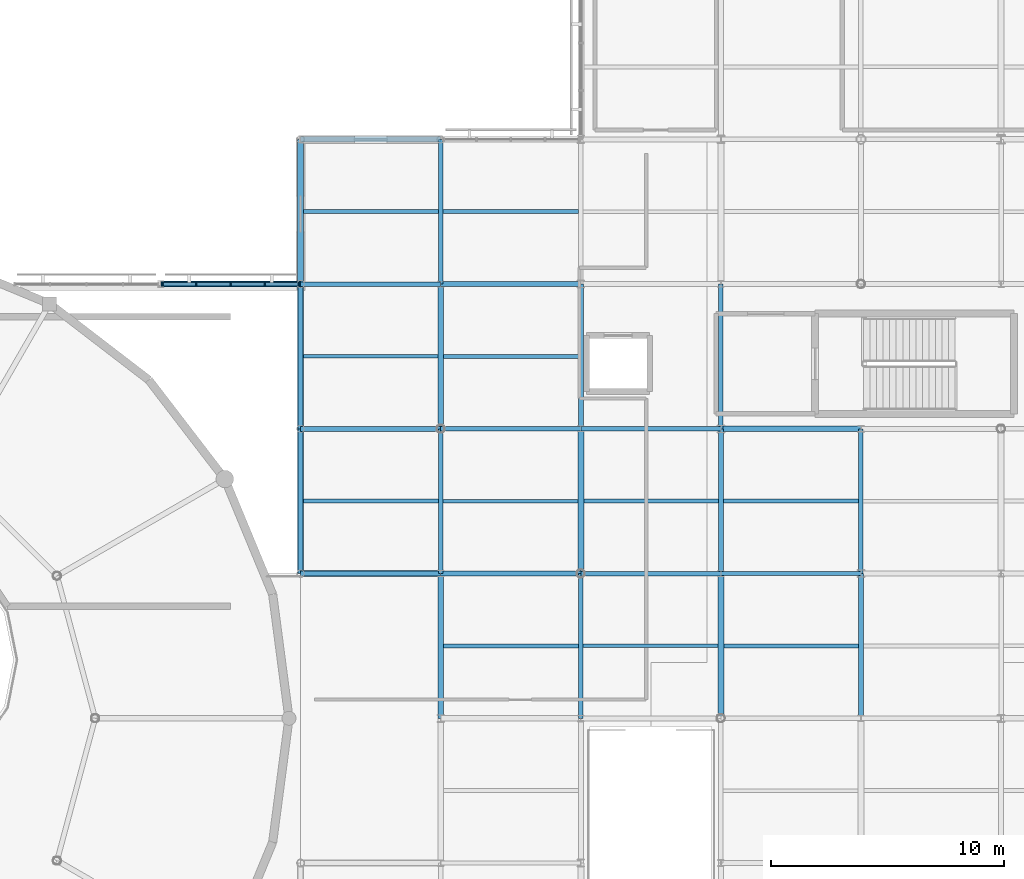
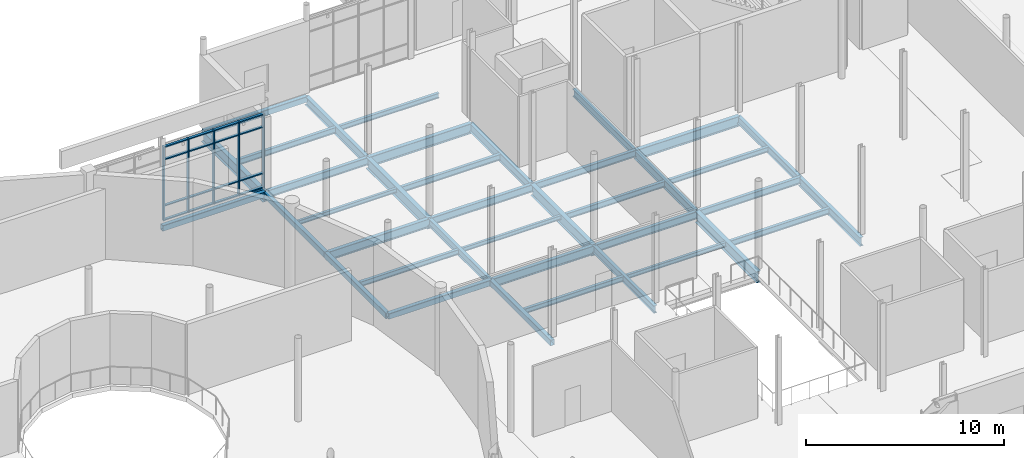
# One storey, part 41 of 105: 38 beams, 21 members, 1 element without a shape of its own.
"""IFC4 building model written with IfcOpenShell, lengths in metres."""

from ifc_helpers import new_model, si_unit, direction, frame, origin, origin_2d, place, context, subcontext, project, spatial, rectangle, hollow_rectangle, i_section, extrude, material, layer, layer_set, material_profile, profile_set, type_object, element, aggregate, save


model = new_model("IFC4")

# Units and contexts
model_context = context("Model", 3, precision=1e-05, world=origin(), true_north=direction((0.0, 1.0)))
body_context = subcontext(model_context, "Body", "Model", "MODEL_VIEW")
ifc_project = project(units=[si_unit("LENGTHUNIT", "METRE"), si_unit("AREAUNIT", "SQUARE_METRE"), si_unit("VOLUMEUNIT", "CUBIC_METRE"), si_unit("PLANEANGLEUNIT", "RADIAN"), si_unit("MASSUNIT", "GRAM", prefix="KILO")], contexts=[model_context])

# Site, building, storey
site_placement = place(None, origin())
site = spatial("IfcSite", under=ifc_project, at=site_placement, CompositionType="ELEMENT")
building_placement = place(site_placement, origin())
building = spatial("IfcBuilding", under=site, at=building_placement, Name="Mirzam Square Science Centre", CompositionType="ELEMENT")
storey_placement = place(building_placement, frame((0.0, 0.0, 5.39990234375)))
storey = spatial("IfcBuildingStorey", under=building, at=storey_placement, Name="L01", CompositionType="ELEMENT", Elevation=5.39990234375)

# Beams
ifc_material_1 = material(Name="Steel S355", Category="steel")
ifc_material_profile_1 = material_profile(ifc_material_1, i_section(OverallWidth=0.1787109375, OverallDepth=0.409423828125, WebThickness=0.0087890625, FlangeThickness=0.014404296875, FilletRadius=0.01025390625, at=origin_2d()), Name="406x178x67UB")
ifc_profile_set_1 = profile_set([ifc_material_profile_1], Name="Steel S355")
beam_type_1 = type_object("IfcBeamType", Name="BM-UB406", PredefinedType="BEAM", material=ifc_profile_set_1)
for number, where, z_axis, x_axis, name in (
    (1, (120.0, 68.199951171875, -0.45458984375), (1.0, 0.0, 0.0), (0.0, 1.0, 0.0), "L01 girder X21-12"),
    (2, (114.0, 74.39990234375, -0.45458984375), (1.0, 0.0, 0.0), (0.0, 1.0, 0.0), "L01 girder X20-13"),
):
    element("IfcBeam", number, at=place(storey_placement, frame(where, z_axis=z_axis, x_axis=x_axis)), inside=storey, type_object=beam_type_1, Name=name, PredefinedType="BEAM", context=body_context, shape_type="SweptSolid", body=[
        extrude(i_section(OverallWidth=0.1787109375, OverallDepth=0.409423828125, WebThickness=0.0087890625, FlangeThickness=0.014404296875, FilletRadius=0.01025390625, at=origin_2d()), origin(), (0.0, 0.0, 1.0), 6.0),
    ])
ifc_material_profile_2 = material_profile(ifc_material_1, i_section(OverallWidth=0.19140625, OverallDepth=0.4599609375, WebThickness=0.010009765625, FlangeThickness=0.01611328125, FilletRadius=0.01025390625, at=origin_2d()), Name="457x191x82UB")
ifc_profile_set_2 = profile_set([ifc_material_profile_2], Name="Steel S355")
beam_type_2 = type_object("IfcBeamType", Name="BM-UB457", PredefinedType="BEAM", material=ifc_profile_set_2)
for number, where, z_axis, x_axis, name in (
    (3, (114.0, 68.199951171875, -0.47998046875), (1.0, 0.0, 0.0), (0.0, 1.0, 0.0), "L01 girder X20-12"),
    (4, (108.0, 74.39990234375, -0.47998046875), (1.0, 0.0, 0.0), (0.0, 1.0, 0.0), "L01 girder X19-13"),
    (5, (102.0, 80.60009765625, -0.47998046875), (1.0, 0.0, 0.0), (0.0, 1.0, 0.0), "L01 girder X18-14"),
):
    element("IfcBeam", number, at=place(storey_placement, frame(where, z_axis=z_axis, x_axis=x_axis)), inside=storey, type_object=beam_type_2, Name=name, PredefinedType="BEAM", context=body_context, shape_type="SweptSolid", body=[
        extrude(i_section(OverallWidth=0.19140625, OverallDepth=0.4599609375, WebThickness=0.010009765625, FlangeThickness=0.01611328125, FilletRadius=0.01025390625, at=origin_2d()), origin(), (0.0, 0.0, 1.0), 6.0),
    ])
for number, where, z_axis, x_axis, name in (
    (6, (108.0, 68.199951171875, -0.47998046875), (0.0, 1.0, 0.0), (-1.0, 0.0, 0.0), "L01 girder Y19-12"),
    (7, (114.0, 62.0, -0.47998046875), (0.0, 1.0, 0.0), (-1.0, 0.0, 0.0), "L01 girder Y20-11"),
):
    element("IfcBeam", number, at=place(storey_placement, frame(where, z_axis=z_axis, x_axis=x_axis)), inside=storey, type_object=beam_type_2, Name=name, PredefinedType="BEAM", context=body_context, shape_type="SweptSolid", body=[
        extrude(i_section(OverallWidth=0.19140625, OverallDepth=0.4599609375, WebThickness=0.010009765625, FlangeThickness=0.01611328125, FilletRadius=0.01025390625, at=origin_2d()), origin(), (0.0, 0.0, 1.0), 6.199951171875),
    ])
beam_1_placement = place(storey_placement, frame((120.0, 74.39990234375, -0.47998046875), z_axis=(0.0, 1.0, 0.0), x_axis=(-1.0, 0.0, 0.0)))
element("IfcBeam", 8, at=beam_1_placement, inside=storey, type_object=beam_type_2, Name="L01 girder Y21-13", PredefinedType="BEAM", context=body_context, shape_type="SweptSolid", body=[
    extrude(i_section(OverallWidth=0.19140625, OverallDepth=0.4599609375, WebThickness=0.010009765625, FlangeThickness=0.01611328125, FilletRadius=0.01025390625, at=origin_2d()), origin(), (0.0, 0.0, 1.0), 6.2001953125),
])
beam_2_placement = place(storey_placement, frame((126.0, 68.199951171875, -0.47998046875), z_axis=(0.0, 1.0, 0.0), x_axis=(-1.0, 0.0, 0.0)))
element("IfcBeam", 9, at=beam_2_placement, inside=storey, type_object=beam_type_2, Name="L01 girder Y22-12", PredefinedType="BEAM", context=body_context, shape_type="SweptSolid", body=[
    extrude(i_section(OverallWidth=0.19140625, OverallDepth=0.4599609375, WebThickness=0.010009765625, FlangeThickness=0.01611328125, FilletRadius=0.01025390625, at=origin_2d()), origin(), (0.0, 0.0, 1.0), 6.199951171875),
])
ifc_material_profile_3 = material_profile(ifc_material_1, i_section(OverallWidth=0.2099609375, OverallDepth=0.53662109375, WebThickness=0.0107421875, FlangeThickness=0.017333984375, FilletRadius=0.0126953125, at=origin_2d()), Name="533x210x101UB")
ifc_profile_set_3 = profile_set([ifc_material_profile_3], Name="Steel S355")
beam_type_3 = type_object("IfcBeamType", Name="BM-UB533", PredefinedType="BEAM", material=ifc_profile_set_3)
for number, where, z_axis, x_axis, name in (
    (10, (108.0, 68.199951171875, -0.518310546875), (1.0, 0.0, 0.0), (0.0, 1.0, 0.0), "L01 girder X19-12"),
    (11, (102.0, 74.39990234375, -0.518310546875), (1.0, 0.0, 0.0), (0.0, 1.0, 0.0), "L01 girder X18-13"),
):
    element("IfcBeam", number, at=place(storey_placement, frame(where, z_axis=z_axis, x_axis=x_axis)), inside=storey, type_object=beam_type_3, Name=name, PredefinedType="BEAM", context=body_context, shape_type="SweptSolid", body=[
        extrude(i_section(OverallWidth=0.2099609375, OverallDepth=0.53662109375, WebThickness=0.0107421875, FlangeThickness=0.017333984375, FilletRadius=0.0126953125, at=origin_2d()), origin(), (0.0, 0.0, 1.0), 6.0),
    ])
beam_3_placement = place(storey_placement, frame((108.0, 80.60009765625, -0.518310546875), z_axis=(0.0, 1.0, 0.0), x_axis=(-1.0, 0.0, 0.0)))
element("IfcBeam", 12, at=beam_3_placement, inside=storey, type_object=beam_type_3, Name="L01 girder Y19-14", PredefinedType="BEAM", context=body_context, shape_type="SweptSolid", body=[
    extrude(i_section(OverallWidth=0.2099609375, OverallDepth=0.53662109375, WebThickness=0.0107421875, FlangeThickness=0.017333984375, FilletRadius=0.0126953125, at=origin_2d()), origin(), (0.0, 0.0, 1.0), 6.199951171875),
])
beam_4_placement = place(storey_placement, frame((114.0, 74.39990234375, -0.518310546875), z_axis=(0.0, 1.0, 0.0), x_axis=(-1.0, 0.0, 0.0)))
element("IfcBeam", 13, at=beam_4_placement, inside=storey, type_object=beam_type_3, Name="L01 girder Y20-13", PredefinedType="BEAM", context=body_context, shape_type="SweptSolid", body=[
    extrude(i_section(OverallWidth=0.2099609375, OverallDepth=0.53662109375, WebThickness=0.0107421875, FlangeThickness=0.017333984375, FilletRadius=0.0126953125, at=origin_2d()), origin(), (0.0, 0.0, 1.0), 6.2001953125),
])
for number, where, z_axis, x_axis, name in (
    (14, (120.0, 68.199951171875, -0.518310546875), (0.0, 1.0, 0.0), (-1.0, 0.0, 0.0), "L01 girder Y21-12"),
    (15, (126.0, 62.0, -0.518310546875), (0.0, 1.0, 0.0), (-1.0, 0.0, 0.0), "L01 girder Y22-11"),
):
    element("IfcBeam", number, at=place(storey_placement, frame(where, z_axis=z_axis, x_axis=x_axis)), inside=storey, type_object=beam_type_3, Name=name, PredefinedType="BEAM", context=body_context, shape_type="SweptSolid", body=[
        extrude(i_section(OverallWidth=0.2099609375, OverallDepth=0.53662109375, WebThickness=0.0107421875, FlangeThickness=0.017333984375, FilletRadius=0.0126953125, at=origin_2d()), origin(), (0.0, 0.0, 1.0), 6.199951171875),
    ])
ifc_material_profile_4 = material_profile(ifc_material_1, i_section(OverallWidth=0.22900390625, OverallDepth=0.6123046875, WebThickness=0.011962890625, FlangeThickness=0.01953125, FilletRadius=0.0126953125, at=origin_2d()), Name="610x229x125UB")
ifc_profile_set_4 = profile_set([ifc_material_profile_4], Name="Steel S355")
beam_type_4 = type_object("IfcBeamType", Name="BM-UB610", PredefinedType="BEAM", material=ifc_profile_set_4)
for number, where, z_axis, x_axis, name in (
    (16, (120.0, 74.39990234375, -0.555908203125), (1.0, 0.0, 0.0), (0.0, 1.0, 0.0), "L01 girder X21-13"),
    (17, (108.0, 80.60009765625, -0.555908203125), (1.0, 0.0, 0.0), (0.0, 1.0, 0.0), "L01 girder X19-14"),
):
    element("IfcBeam", number, at=place(storey_placement, frame(where, z_axis=z_axis, x_axis=x_axis)), inside=storey, type_object=beam_type_4, Name=name, PredefinedType="BEAM", context=body_context, shape_type="SweptSolid", body=[
        extrude(i_section(OverallWidth=0.22900390625, OverallDepth=0.6123046875, WebThickness=0.011962890625, FlangeThickness=0.01953125, FilletRadius=0.0126953125, at=origin_2d()), origin(), (0.0, 0.0, 1.0), 6.0),
    ])
ifc_material_profile_5 = material_profile(ifc_material_1, i_section(OverallWidth=0.25439453125, OverallDepth=0.6875, WebThickness=0.01318359375, FlangeThickness=0.02099609375, FilletRadius=0.01513671875, at=origin_2d()), Name="686x254x152UB")
ifc_profile_set_5 = profile_set([ifc_material_profile_5], Name="Steel S355")
beam_type_5 = type_object("IfcBeamType", Name="BM-UB686", PredefinedType="BEAM", material=ifc_profile_set_5)
beam_5_placement = place(storey_placement, frame((102.0, 80.60009765625, -0.593505859375), z_axis=(0.0, 1.0, 0.0), x_axis=(-1.0, 0.0, 0.0)))
element("IfcBeam", 18, at=beam_5_placement, inside=storey, type_object=beam_type_5, Name="L01 girder Y18-14", PredefinedType="BEAM", context=body_context, shape_type="SweptSolid", body=[
    extrude(i_section(OverallWidth=0.25439453125, OverallDepth=0.6875, WebThickness=0.01318359375, FlangeThickness=0.02099609375, FilletRadius=0.01513671875, at=origin_2d()), origin(), (0.0, 0.0, 1.0), 6.199951171875),
])
beam_6_placement = place(storey_placement, frame((108.0, 74.39990234375, -0.593505859375), z_axis=(0.0, 1.0, 0.0), x_axis=(-1.0, 0.0, 0.0)))
element("IfcBeam", 19, at=beam_6_placement, inside=storey, type_object=beam_type_5, Name="L01 girder Y19-13", PredefinedType="BEAM", context=body_context, shape_type="SweptSolid", body=[
    extrude(i_section(OverallWidth=0.25439453125, OverallDepth=0.6875, WebThickness=0.01318359375, FlangeThickness=0.02099609375, FilletRadius=0.01513671875, at=origin_2d()), origin(), (0.0, 0.0, 1.0), 6.2001953125),
])
for number, where, z_axis, x_axis, name in (
    (20, (114.0, 68.199951171875, -0.593505859375), (0.0, 1.0, 0.0), (-1.0, 0.0, 0.0), "L01 girder Y20-12"),
    (21, (120.0, 62.0, -0.593505859375), (0.0, 1.0, 0.0), (-1.0, 0.0, 0.0), "L01 girder Y21-11"),
):
    element("IfcBeam", number, at=place(storey_placement, frame(where, z_axis=z_axis, x_axis=x_axis)), inside=storey, type_object=beam_type_5, Name=name, PredefinedType="BEAM", context=body_context, shape_type="SweptSolid", body=[
        extrude(i_section(OverallWidth=0.25439453125, OverallDepth=0.6875, WebThickness=0.01318359375, FlangeThickness=0.02099609375, FilletRadius=0.01513671875, at=origin_2d()), origin(), (0.0, 0.0, 1.0), 6.199951171875),
    ])

# Curtain wall, members
ifc_material_2 = material(Name="Anodised Aluminium and Low-E Solar Glass", Category="aluminium")
ifc_layer = layer(ifc_material_2, 0.179931640625)
ifc_layer_set = layer_set([ifc_layer], Name="CW-PARK-A")
curtain_wall_type = type_object("IfcCurtainWallType", Name="CW-PARK-A", PredefinedType="USERDEFINED", material=ifc_layer_set)
curtain_wall_placement = place(storey_placement, origin())
curtain_wall = element("IfcCurtainWall", 22, at=curtain_wall_placement, inside=storey, type_object=curtain_wall_type, Name="L01 unitised curtain wall 56", ObjectType="UNITISED CURTAIN WALL", PredefinedType="USERDEFINED")
ifc_material_3 = material(Name="Anodised Architectural Aluminium 6063-T6", Category="aluminium")
ifc_material_profile_6 = material_profile(ifc_material_3, rectangle(XDim=0.06494140625, YDim=0.199951171875, at=origin_2d()), Name="ALU-MULL-200x65x5")
ifc_profile_set_6 = profile_set([ifc_material_profile_6], Name="Anodised Architectural Aluminium 6063-T6")
member_type_1 = type_object("IfcMemberType", Name="CWM-200", PredefinedType="MULLION", material=ifc_profile_set_6)
member_1_placement = place(storey_placement, frame((101.91259765625, 80.60009765625, 0.0), z_axis=(0.0, 0.0, 1.0), x_axis=(-1.0, 0.0, 0.0)))
member_1 = element("IfcMember", 23, at=member_1_placement, type_object=member_type_1, Name="CW-01 mullion 1", PredefinedType="MULLION", context=body_context, shape_type="SweptSolid", body=[
    extrude(rectangle(XDim=0.06494140625, YDim=0.199951171875, at=origin_2d()), origin(), (0.0, 0.0, 1.0), 4.550048828125),
])
member_2_placement = place(storey_placement, frame((100.472412109375, 80.60009765625, 0.0), z_axis=(0.0, 0.0, 1.0), x_axis=(-1.0, 0.0, 0.0)))
member_2 = element("IfcMember", 24, at=member_2_placement, type_object=member_type_1, Name="CW-01 mullion 2", PredefinedType="MULLION", context=body_context, shape_type="SweptSolid", body=[
    extrude(rectangle(XDim=0.06494140625, YDim=0.199951171875, at=origin_2d()), origin(), (0.0, 0.0, 1.0), 4.550048828125),
])
member_3_placement = place(storey_placement, frame((99.0, 80.60009765625, 0.0), z_axis=(0.0, 0.0, 1.0), x_axis=(-1.0, 0.0, 0.0)))
member_3 = element("IfcMember", 25, at=member_3_placement, type_object=member_type_1, Name="CW-01 mullion 3", PredefinedType="MULLION", context=body_context, shape_type="SweptSolid", body=[
    extrude(rectangle(XDim=0.06494140625, YDim=0.199951171875, at=origin_2d()), origin(), (0.0, 0.0, 1.0), 4.550048828125),
])
member_4_placement = place(storey_placement, frame((97.527587890625, 80.60009765625, 0.0), z_axis=(0.0, 0.0, 1.0), x_axis=(-1.0, 0.0, 0.0)))
member_4 = element("IfcMember", 26, at=member_4_placement, type_object=member_type_1, Name="CW-01 mullion 4", PredefinedType="MULLION", context=body_context, shape_type="SweptSolid", body=[
    extrude(rectangle(XDim=0.06494140625, YDim=0.199951171875, at=origin_2d()), origin(), (0.0, 0.0, 1.0), 4.550048828125),
])
member_5_placement = place(storey_placement, frame((96.08740234375, 80.60009765625, 0.0), z_axis=(0.0, 0.0, 1.0), x_axis=(-1.0, 0.0, 0.0)))
member_5 = element("IfcMember", 27, at=member_5_placement, type_object=member_type_1, Name="CW-01 mullion 5", PredefinedType="MULLION", context=body_context, shape_type="SweptSolid", body=[
    extrude(rectangle(XDim=0.06494140625, YDim=0.199951171875, at=origin_2d()), origin(), (0.0, 0.0, 1.0), 4.550048828125),
])
ifc_material_profile_7 = material_profile(ifc_material_3, rectangle(XDim=0.14990234375, YDim=0.06494140625, at=origin_2d()), Name="ALU-TRAN-150x65x4")
ifc_profile_set_7 = profile_set([ifc_material_profile_7], Name="Anodised Architectural Aluminium 6063-T6")
member_type_2 = type_object("IfcMemberType", Name="CWT-150", PredefinedType="USERDEFINED", material=ifc_profile_set_7)
member_6_placement = place(storey_placement, frame((101.8798828125, 80.60009765625, 0.03271484375), z_axis=(-1.0, 0.0, 0.0), x_axis=(0.0, -1.0, 0.0)))
member_6 = element("IfcMember", 28, at=member_6_placement, type_object=member_type_2, Name="CW-01 transom 1.1", ObjectType="TRANSOM", PredefinedType="USERDEFINED", context=body_context, shape_type="SweptSolid", body=[
    extrude(rectangle(XDim=0.14990234375, YDim=0.06494140625, at=origin_2d()), origin(), (0.0, 0.0, 1.0), 1.375),
])
member_7_placement = place(storey_placement, frame((101.8798828125, 80.60009765625, 0.900146484375), z_axis=(-1.0, 0.0, 0.0), x_axis=(0.0, -1.0, 0.0)))
member_7 = element("IfcMember", 29, at=member_7_placement, type_object=member_type_2, Name="CW-01 transom 1.2", ObjectType="TRANSOM", PredefinedType="USERDEFINED", context=body_context, shape_type="SweptSolid", body=[
    extrude(rectangle(XDim=0.14990234375, YDim=0.06494140625, at=origin_2d()), origin(), (0.0, 0.0, 1.0), 1.375),
])
member_8_placement = place(storey_placement, frame((101.8798828125, 80.60009765625, 3.75), z_axis=(-1.0, 0.0, 0.0), x_axis=(0.0, -1.0, 0.0)))
member_8 = element("IfcMember", 30, at=member_8_placement, type_object=member_type_2, Name="CW-01 transom 1.3", ObjectType="TRANSOM", PredefinedType="USERDEFINED", context=body_context, shape_type="SweptSolid", body=[
    extrude(rectangle(XDim=0.14990234375, YDim=0.06494140625, at=origin_2d()), origin(), (0.0, 0.0, 1.0), 1.375),
])
member_9_placement = place(storey_placement, frame((101.8798828125, 80.60009765625, 4.517578125), z_axis=(-1.0, 0.0, 0.0), x_axis=(0.0, -1.0, 0.0)))
member_9 = element("IfcMember", 31, at=member_9_placement, type_object=member_type_2, Name="CW-01 transom 1.4", ObjectType="TRANSOM", PredefinedType="USERDEFINED", context=body_context, shape_type="SweptSolid", body=[
    extrude(rectangle(XDim=0.14990234375, YDim=0.06494140625, at=origin_2d()), origin(), (0.0, 0.0, 1.0), 1.375),
])
member_10_placement = place(storey_placement, frame((100.43994140625, 80.60009765625, 0.03271484375), z_axis=(-1.0, 0.0, 0.0), x_axis=(0.0, -1.0, 0.0)))
member_10 = element("IfcMember", 32, at=member_10_placement, type_object=member_type_2, Name="CW-01 transom 2.1", ObjectType="TRANSOM", PredefinedType="USERDEFINED", context=body_context, shape_type="SweptSolid", body=[
    extrude(rectangle(XDim=0.14990234375, YDim=0.06494140625, at=origin_2d()), origin(), (0.0, 0.0, 1.0), 1.407470703125),
])
member_11_placement = place(storey_placement, frame((100.43994140625, 80.60009765625, 0.900146484375), z_axis=(-1.0, 0.0, 0.0), x_axis=(0.0, -1.0, 0.0)))
member_11 = element("IfcMember", 33, at=member_11_placement, type_object=member_type_2, Name="CW-01 transom 2.2", ObjectType="TRANSOM", PredefinedType="USERDEFINED", context=body_context, shape_type="SweptSolid", body=[
    extrude(rectangle(XDim=0.14990234375, YDim=0.06494140625, at=origin_2d()), origin(), (0.0, 0.0, 1.0), 1.407470703125),
])
member_12_placement = place(storey_placement, frame((100.43994140625, 80.60009765625, 3.75), z_axis=(-1.0, 0.0, 0.0), x_axis=(0.0, -1.0, 0.0)))
member_12 = element("IfcMember", 34, at=member_12_placement, type_object=member_type_2, Name="CW-01 transom 2.3", ObjectType="TRANSOM", PredefinedType="USERDEFINED", context=body_context, shape_type="SweptSolid", body=[
    extrude(rectangle(XDim=0.14990234375, YDim=0.06494140625, at=origin_2d()), origin(), (0.0, 0.0, 1.0), 1.407470703125),
])
member_13_placement = place(storey_placement, frame((100.43994140625, 80.60009765625, 4.517578125), z_axis=(-1.0, 0.0, 0.0), x_axis=(0.0, -1.0, 0.0)))
member_13 = element("IfcMember", 35, at=member_13_placement, type_object=member_type_2, Name="CW-01 transom 2.4", ObjectType="TRANSOM", PredefinedType="USERDEFINED", context=body_context, shape_type="SweptSolid", body=[
    extrude(rectangle(XDim=0.14990234375, YDim=0.06494140625, at=origin_2d()), origin(), (0.0, 0.0, 1.0), 1.407470703125),
])
member_14_placement = place(storey_placement, frame((98.967529296875, 80.60009765625, 0.03271484375), z_axis=(-1.0, 0.0, 0.0), x_axis=(0.0, -1.0, 0.0)))
member_14 = element("IfcMember", 36, at=member_14_placement, type_object=member_type_2, Name="CW-01 transom 3.1", ObjectType="TRANSOM", PredefinedType="USERDEFINED", context=body_context, shape_type="SweptSolid", body=[
    extrude(rectangle(XDim=0.14990234375, YDim=0.06494140625, at=origin_2d()), origin(), (0.0, 0.0, 1.0), 1.407470703125),
])
member_15_placement = place(storey_placement, frame((98.967529296875, 80.60009765625, 0.900146484375), z_axis=(-1.0, 0.0, 0.0), x_axis=(0.0, -1.0, 0.0)))
member_15 = element("IfcMember", 37, at=member_15_placement, type_object=member_type_2, Name="CW-01 transom 3.2", ObjectType="TRANSOM", PredefinedType="USERDEFINED", context=body_context, shape_type="SweptSolid", body=[
    extrude(rectangle(XDim=0.14990234375, YDim=0.06494140625, at=origin_2d()), origin(), (0.0, 0.0, 1.0), 1.407470703125),
])
member_16_placement = place(storey_placement, frame((98.967529296875, 80.60009765625, 3.75), z_axis=(-1.0, 0.0, 0.0), x_axis=(0.0, -1.0, 0.0)))
member_16 = element("IfcMember", 38, at=member_16_placement, type_object=member_type_2, Name="CW-01 transom 3.3", ObjectType="TRANSOM", PredefinedType="USERDEFINED", context=body_context, shape_type="SweptSolid", body=[
    extrude(rectangle(XDim=0.14990234375, YDim=0.06494140625, at=origin_2d()), origin(), (0.0, 0.0, 1.0), 1.407470703125),
])
member_17_placement = place(storey_placement, frame((98.967529296875, 80.60009765625, 4.517578125), z_axis=(-1.0, 0.0, 0.0), x_axis=(0.0, -1.0, 0.0)))
member_17 = element("IfcMember", 39, at=member_17_placement, type_object=member_type_2, Name="CW-01 transom 3.4", ObjectType="TRANSOM", PredefinedType="USERDEFINED", context=body_context, shape_type="SweptSolid", body=[
    extrude(rectangle(XDim=0.14990234375, YDim=0.06494140625, at=origin_2d()), origin(), (0.0, 0.0, 1.0), 1.407470703125),
])
member_18_placement = place(storey_placement, frame((97.4951171875, 80.60009765625, 0.03271484375), z_axis=(-1.0, 0.0, 0.0), x_axis=(0.0, -1.0, 0.0)))
member_18 = element("IfcMember", 40, at=member_18_placement, type_object=member_type_2, Name="CW-01 transom 4.1", ObjectType="TRANSOM", PredefinedType="USERDEFINED", context=body_context, shape_type="SweptSolid", body=[
    extrude(rectangle(XDim=0.14990234375, YDim=0.06494140625, at=origin_2d()), origin(), (0.0, 0.0, 1.0), 1.375),
])
member_19_placement = place(storey_placement, frame((97.4951171875, 80.60009765625, 0.900146484375), z_axis=(-1.0, 0.0, 0.0), x_axis=(0.0, -1.0, 0.0)))
member_19 = element("IfcMember", 41, at=member_19_placement, type_object=member_type_2, Name="CW-01 transom 4.2", ObjectType="TRANSOM", PredefinedType="USERDEFINED", context=body_context, shape_type="SweptSolid", body=[
    extrude(rectangle(XDim=0.14990234375, YDim=0.06494140625, at=origin_2d()), origin(), (0.0, 0.0, 1.0), 1.375),
])
member_20_placement = place(storey_placement, frame((97.4951171875, 80.60009765625, 3.75), z_axis=(-1.0, 0.0, 0.0), x_axis=(0.0, -1.0, 0.0)))
member_20 = element("IfcMember", 42, at=member_20_placement, type_object=member_type_2, Name="CW-01 transom 4.3", ObjectType="TRANSOM", PredefinedType="USERDEFINED", context=body_context, shape_type="SweptSolid", body=[
    extrude(rectangle(XDim=0.14990234375, YDim=0.06494140625, at=origin_2d()), origin(), (0.0, 0.0, 1.0), 1.375),
])
member_21_placement = place(storey_placement, frame((97.4951171875, 80.60009765625, 4.517578125), z_axis=(-1.0, 0.0, 0.0), x_axis=(0.0, -1.0, 0.0)))
member_21 = element("IfcMember", 43, at=member_21_placement, type_object=member_type_2, Name="CW-01 transom 4.4", ObjectType="TRANSOM", PredefinedType="USERDEFINED", context=body_context, shape_type="SweptSolid", body=[
    extrude(rectangle(XDim=0.14990234375, YDim=0.06494140625, at=origin_2d()), origin(), (0.0, 0.0, 1.0), 1.375),
])
aggregate(curtain_wall, [member_1, member_2, member_3, member_4, member_5, member_6, member_7, member_8, member_9, member_10, member_11, member_12, member_13, member_14, member_15, member_16, member_17, member_18, member_19, member_20, member_21])

# Beams
ifc_material_profile_8 = material_profile(ifc_material_1, i_section(OverallWidth=0.146484375, OverallDepth=0.256103515625, WebThickness=0.00634765625, FlangeThickness=0.010986328125, FilletRadius=0.007568359375, at=origin_2d()), Name="254x146x37UB")
ifc_profile_set_8 = profile_set([ifc_material_profile_8], Name="Steel S355")
beam_type_6 = type_object("IfcBeamType", Name="JS-UB254", PredefinedType="JOIST", material=ifc_profile_set_8)
beam_7_placement = place(storey_placement, frame((102.125, 77.5, -0.3779296875), z_axis=(1.0, 0.0, 0.0), x_axis=(0.0, 1.0, 0.0)))
element("IfcBeam", 44, at=beam_7_placement, inside=storey, type_object=beam_type_6, Name="L01 composite joist 18-13", PredefinedType="JOIST", context=body_context, shape_type="SweptSolid", body=[
    extrude(i_section(OverallWidth=0.146484375, OverallDepth=0.256103515625, WebThickness=0.00634765625, FlangeThickness=0.010986328125, FilletRadius=0.007568359375, at=origin_2d()), origin(), (0.0, 0.0, 1.0), 5.747802734375),
])
for number, where, z_axis, x_axis, name in (
    (45, (108.095703125, 71.300048828125, -0.3779296875), (1.0, 0.0, 0.0), (0.0, 1.0, 0.0), "L01 composite joist 19-12"),
    (46, (114.095703125, 65.10009765625, -0.3779296875), (1.0, 0.0, 0.0), (0.0, 1.0, 0.0), "L01 composite joist 20-11"),
):
    element("IfcBeam", number, at=place(storey_placement, frame(where, z_axis=z_axis, x_axis=x_axis)), inside=storey, type_object=beam_type_6, Name=name, PredefinedType="JOIST", context=body_context, shape_type="SweptSolid", body=[
        extrude(i_section(OverallWidth=0.146484375, OverallDepth=0.256103515625, WebThickness=0.00634765625, FlangeThickness=0.010986328125, FilletRadius=0.007568359375, at=origin_2d()), origin(), (0.0, 0.0, 1.0), 5.777099609375),
    ])
ifc_material_profile_9 = material_profile(ifc_material_1, i_section(OverallWidth=0.165771484375, OverallDepth=0.306640625, WebThickness=0.006591796875, FlangeThickness=0.01171875, FilletRadius=0.0087890625, at=origin_2d()), Name="305x165x46UB")
ifc_profile_set_9 = profile_set([ifc_material_profile_9], Name="Steel S355")
beam_type_7 = type_object("IfcBeamType", Name="JS-UB305", PredefinedType="JOIST", material=ifc_profile_set_9)
for number, where, z_axis, x_axis, name in (
    (47, (102.125, 71.300048828125, -0.4033203125), (1.0, 0.0, 0.0), (0.0, 1.0, 0.0), "L01 composite joist 18-12"),
    (48, (108.125, 65.10009765625, -0.4033203125), (1.0, 0.0, 0.0), (0.0, 1.0, 0.0), "L01 composite joist 19-11"),
):
    element("IfcBeam", number, at=place(storey_placement, frame(where, z_axis=z_axis, x_axis=x_axis)), inside=storey, type_object=beam_type_7, Name=name, PredefinedType="JOIST", context=body_context, shape_type="SweptSolid", body=[
        extrude(i_section(OverallWidth=0.165771484375, OverallDepth=0.306640625, WebThickness=0.006591796875, FlangeThickness=0.01171875, FilletRadius=0.0087890625, at=origin_2d()), origin(), (0.0, 0.0, 1.0), 5.779296875),
    ])
for number, where, z_axis, x_axis, name in (
    (49, (108.10498046875, 83.699951171875, -0.4033203125), (1.0, 0.0, 0.0), (0.0, 1.0, 0.0), "L01 composite joist 19-14"),
    (50, (120.10498046875, 71.300048828125, -0.4033203125), (1.0, 0.0, 0.0), (0.0, 1.0, 0.0), "L01 composite joist 21-12"),
):
    element("IfcBeam", number, at=place(storey_placement, frame(where, z_axis=z_axis, x_axis=x_axis)), inside=storey, type_object=beam_type_7, Name=name, PredefinedType="JOIST", context=body_context, shape_type="SweptSolid", body=[
        extrude(i_section(OverallWidth=0.165771484375, OverallDepth=0.306640625, WebThickness=0.006591796875, FlangeThickness=0.01171875, FilletRadius=0.0087890625, at=origin_2d()), origin(), (0.0, 0.0, 1.0), 5.79931640625),
    ])
ifc_material_profile_10 = material_profile(ifc_material_1, i_section(OverallWidth=0.172119140625, OverallDepth=0.35791015625, WebThickness=0.008056640625, FlangeThickness=0.012939453125, FilletRadius=0.01025390625, at=origin_2d()), Name="356x171x57UB")
ifc_profile_set_10 = profile_set([ifc_material_profile_10], Name="Steel S355")
beam_type_8 = type_object("IfcBeamType", Name="JS-UB356", PredefinedType="JOIST", material=ifc_profile_set_10)
for number, where, z_axis, x_axis, name in (
    (51, (102.127197265625, 83.699951171875, -0.428955078125), (1.0, 0.0, 0.0), (0.0, 1.0, 0.0), "L01 composite joist 18-14"),
    (52, (108.127197265625, 77.5, -0.428955078125), (1.0, 0.0, 0.0), (0.0, 1.0, 0.0), "L01 composite joist 19-13"),
    (53, (114.127197265625, 71.300048828125, -0.428955078125), (1.0, 0.0, 0.0), (0.0, 1.0, 0.0), "L01 composite joist 20-12"),
    (54, (120.127197265625, 65.10009765625, -0.428955078125), (1.0, 0.0, 0.0), (0.0, 1.0, 0.0), "L01 composite joist 21-11"),
):
    element("IfcBeam", number, at=place(storey_placement, frame(where, z_axis=z_axis, x_axis=x_axis)), inside=storey, type_object=beam_type_8, Name=name, PredefinedType="JOIST", context=body_context, shape_type="SweptSolid", body=[
        extrude(i_section(OverallWidth=0.172119140625, OverallDepth=0.35791015625, WebThickness=0.008056640625, FlangeThickness=0.012939453125, FilletRadius=0.01025390625, at=origin_2d()), origin(), (0.0, 0.0, 1.0), 5.767822265625),
    ])
ifc_material_profile_11 = material_profile(ifc_material_1, hollow_rectangle(XDim=0.25, YDim=0.35009765625, WallThickness=0.012451171875, InnerFilletRadius=0.012451171875, OuterFilletRadius=0.02490234375, at=origin_2d()), Name="350x250x12.5RHS")
ifc_profile_set_11 = profile_set([ifc_material_profile_11], Name="Steel S355")
beam_type_9 = type_object("IfcBeamType", Name="SP-RHS350", PredefinedType="SPANDREL", material=ifc_profile_set_11)
for number, where, z_axis, x_axis, name in (
    (55, (102.0, 68.199951171875, -0.4248046875), (1.0, 0.0, 0.0), (0.0, 1.0, 0.0), "L01 girder X18-12"),
    (56, (96.0, 80.60009765625, -0.4248046875), (1.0, 0.0, 0.0), (0.0, 1.0, 0.0), "L01 girder X17-14"),
    (57, (102.0, 86.800048828125, -0.4248046875), (1.0, 0.0, 0.0), (0.0, 1.0, 0.0), "L01 girder X18-15"),
):
    element("IfcBeam", number, at=place(storey_placement, frame(where, z_axis=z_axis, x_axis=x_axis)), inside=storey, type_object=beam_type_9, Name=name, PredefinedType="SPANDREL", context=body_context, shape_type="SweptSolid", body=[
        extrude(hollow_rectangle(XDim=0.25, YDim=0.35009765625, WallThickness=0.012451171875, InnerFilletRadius=0.012451171875, OuterFilletRadius=0.02490234375, at=origin_2d()), origin(), (0.0, 0.0, 1.0), 6.0),
    ])
beam_8_placement = place(storey_placement, frame((102.0, 68.199951171875, -0.4248046875), z_axis=(0.0, 1.0, 0.0), x_axis=(-1.0, 0.0, 0.0)))
element("IfcBeam", 58, at=beam_8_placement, inside=storey, type_object=beam_type_9, Name="L01 girder Y18-12", PredefinedType="SPANDREL", context=body_context, shape_type="SweptSolid", body=[
    extrude(hollow_rectangle(XDim=0.25, YDim=0.35009765625, WallThickness=0.012451171875, InnerFilletRadius=0.012451171875, OuterFilletRadius=0.02490234375, at=origin_2d()), origin(), (0.0, 0.0, 1.0), 6.199951171875),
])
beam_9_placement = place(storey_placement, frame((102.0, 74.39990234375, -0.4248046875), z_axis=(0.0, 1.0, 0.0), x_axis=(-1.0, 0.0, 0.0)))
element("IfcBeam", 59, at=beam_9_placement, inside=storey, type_object=beam_type_9, Name="L01 girder Y18-13", PredefinedType="SPANDREL", context=body_context, shape_type="SweptSolid", body=[
    extrude(hollow_rectangle(XDim=0.25, YDim=0.35009765625, WallThickness=0.012451171875, InnerFilletRadius=0.012451171875, OuterFilletRadius=0.02490234375, at=origin_2d()), origin(), (0.0, 0.0, 1.0), 6.2001953125),
])
beam_10_placement = place(storey_placement, frame((108.0, 62.0, -0.4248046875), z_axis=(0.0, 1.0, 0.0), x_axis=(-1.0, 0.0, 0.0)))
element("IfcBeam", 60, at=beam_10_placement, inside=storey, type_object=beam_type_9, Name="L01 girder Y19-11", PredefinedType="SPANDREL", context=body_context, shape_type="SweptSolid", body=[
    extrude(hollow_rectangle(XDim=0.25, YDim=0.35009765625, WallThickness=0.012451171875, InnerFilletRadius=0.012451171875, OuterFilletRadius=0.02490234375, at=origin_2d()), origin(), (0.0, 0.0, 1.0), 6.199951171875),
])

save(model, "model.ifc")
